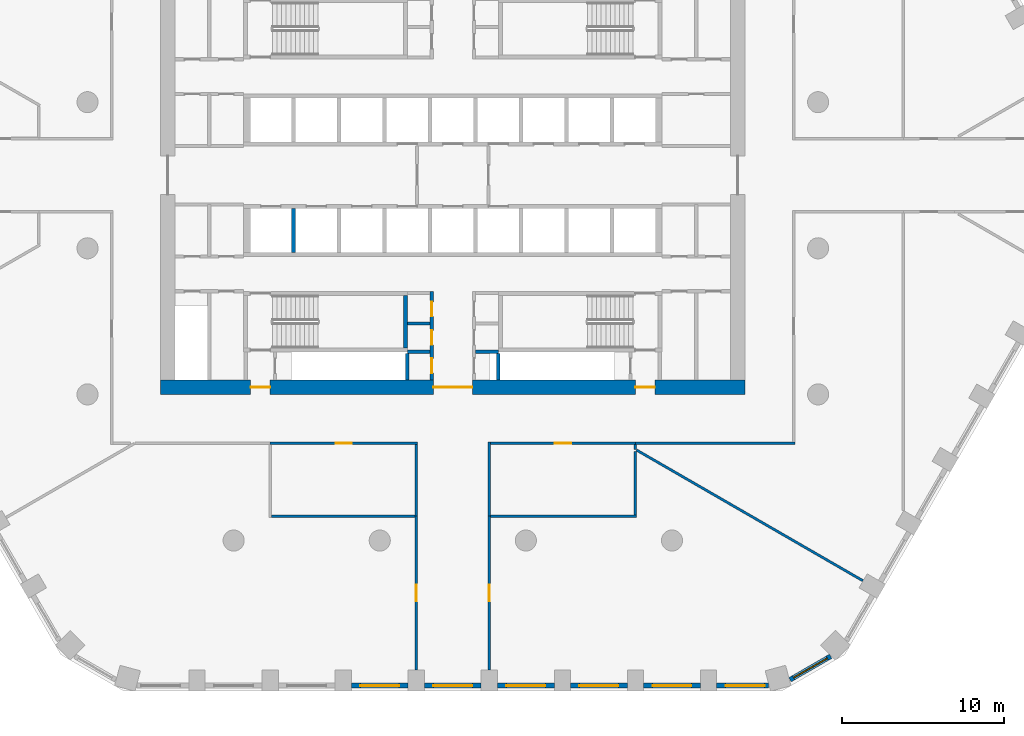
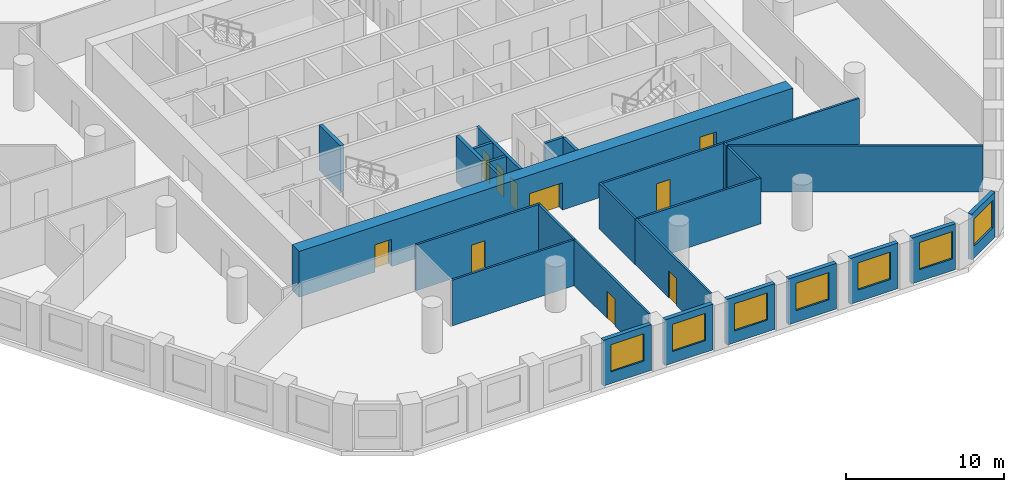
# One storey, part 3 of 10: 28 walls, 10 doors, 7 windows, 17 openings.
"""IFC4 building model written with IfcOpenShell, lengths in metres."""

from ifc_helpers import new_model, si_unit, direction, frame, frame_2d, origin, place, context, subcontext, project, spatial, polyline, rectangle, outline, extrude, material, layer, layer_set, type_object, element, fill, save


model = new_model("IFC4")

# Units and contexts
model_context = context("Model", 3, precision=1e-05, world=origin(), true_north=direction((0.0, 1.0)))
body_context = subcontext(model_context, "Body", "Model", "MODEL_VIEW")
ifc_project = project(units=[si_unit("LENGTHUNIT", "METRE"), si_unit("AREAUNIT", "SQUARE_METRE"), si_unit("VOLUMEUNIT", "CUBIC_METRE"), si_unit("PLANEANGLEUNIT", "RADIAN"), si_unit("MASSUNIT", "GRAM", prefix="KILO")], contexts=[model_context])

# Site, building, storey
site_placement = place(None, origin())
site = spatial("IfcSite", under=ifc_project, at=site_placement, CompositionType="ELEMENT")
building_placement = place(site_placement, origin())
building = spatial("IfcBuilding", under=site, at=building_placement, Name="Dhurran Vertical Campus", CompositionType="ELEMENT")
storey_placement = place(building_placement, frame((0.0, 0.0, 108.60009765625)))
storey = spatial("IfcBuildingStorey", under=building, at=storey_placement, Name="L26", CompositionType="ELEMENT", Elevation=108.60009765625)

# Wall, opening, window
ifc_material_1 = material(Name="Precast concrete C50/60", Category="concrete")
ifc_layer_1 = layer(ifc_material_1, 0.300048828125)
ifc_layer_set_1 = layer_set([ifc_layer_1], Name="Precast concrete C50/60")
wall_type_1 = type_object("IfcWallType", Name="Precast spandrel wall 300", PredefinedType="SOLIDWALL", material=ifc_layer_set_1)
wall_1_placement = place(storey_placement, frame((-6.24951171875, -31.4296875, 0.0), z_axis=(0.0, 0.0, 1.0), x_axis=(1.0, 0.0, 0.0)))
wall_1 = element("IfcWall", 1, at=wall_1_placement, inside=storey, type_object=wall_type_1, Name="EW1 L26.03", PredefinedType="SOLIDWALL", context=body_context, shape_type="SweptSolid", body=[
    extrude(rectangle(XDim=3.4990234375, YDim=0.300048828125, at=frame_2d((1.74951171875, 0.0))), origin(), (0.0, 0.0, 1.0), 3.52490234375),
])
opening_1_placement = place(wall_1_placement, frame((0.549560546875, 0.0, 0.89990234375)))
opening_1 = element("IfcOpeningElement", 2, at=opening_1_placement, cuts=wall_1, Name="Opening WT1", PredefinedType="OPENING", context=body_context, shape_type="SweptSolid", body=[
    extrude(rectangle(XDim=2.39990234375, YDim=2.10009765625, at=frame_2d((1.199951171875, 1.050048828125))), frame((0.0, 0.159912109375, 0.0), z_axis=(0.0, -1.0, 0.0), x_axis=(1.0, 0.0, 0.0)), (0.0, 0.0, 1.0), 0.320068359375),
])
ifc_material_2 = material(Name="Aluminium frame with solar-control glass", Category="aluminium")
window_type = type_object("IfcWindowType", Name="Punched window 2400 x 2100", PartitioningType="SINGLE_PANEL", PredefinedType="WINDOW", material=ifc_material_2)
window_1_placement = place(opening_1_placement, origin())
window_1 = element("IfcWindow", 3, at=window_1_placement, inside=storey, type_object=window_type, Name="WT1 L26.03", OverallHeight=2.10009765625, OverallWidth=2.39990234375, PartitioningType="SINGLE_PANEL", PredefinedType="WINDOW", context=body_context, shape_type="SweptSolid", body=[
    extrude(rectangle(XDim=2.39990234375, YDim=2.10009765625, at=frame_2d((1.199951171875, 1.050048828125))), frame((0.0, 0.030029296875, 0.0), z_axis=(0.0, -1.0, 0.0), x_axis=(1.0, 0.0, 0.0)), (0.0, 0.0, 1.0), 0.06005859375),
])
fill(opening_1, window_1)

wall_2_placement = place(storey_placement, frame((-1.74951171875, -31.4296875, 0.0), z_axis=(0.0, 0.0, 1.0), x_axis=(1.0, 0.0, 0.0)))
wall_2 = element("IfcWall", 4, at=wall_2_placement, inside=storey, type_object=wall_type_1, Name="EW1 L26.04", PredefinedType="SOLIDWALL", context=body_context, shape_type="SweptSolid", body=[
    extrude(rectangle(XDim=3.4990234375, YDim=0.300048828125, at=frame_2d((1.74951171875, 0.0))), origin(), (0.0, 0.0, 1.0), 3.52490234375),
])
opening_2_placement = place(wall_2_placement, frame((0.549560546875, 0.0, 0.89990234375)))
opening_2 = element("IfcOpeningElement", 5, at=opening_2_placement, cuts=wall_2, Name="Opening WT1", PredefinedType="OPENING", context=body_context, shape_type="SweptSolid", body=[
    extrude(rectangle(XDim=2.39990234375, YDim=2.10009765625, at=frame_2d((1.199951171875, 1.050048828125))), frame((0.0, 0.159912109375, 0.0), z_axis=(0.0, -1.0, 0.0), x_axis=(1.0, 0.0, 0.0)), (0.0, 0.0, 1.0), 0.320068359375),
])
window_2_placement = place(opening_2_placement, origin())
window_2 = element("IfcWindow", 6, at=window_2_placement, inside=storey, type_object=window_type, Name="WT1 L26.04", OverallHeight=2.10009765625, OverallWidth=2.39990234375, PartitioningType="SINGLE_PANEL", PredefinedType="WINDOW", context=body_context, shape_type="SweptSolid", body=[
    extrude(rectangle(XDim=2.39990234375, YDim=2.10009765625, at=frame_2d((1.199951171875, 1.050048828125))), frame((0.0, 0.030029296875, 0.0), z_axis=(0.0, -1.0, 0.0), x_axis=(1.0, 0.0, 0.0)), (0.0, 0.0, 1.0), 0.06005859375),
])
fill(opening_2, window_2)

wall_3_placement = place(storey_placement, frame((2.75048828125, -31.4296875, 0.0), z_axis=(0.0, 0.0, 1.0), x_axis=(1.0, 0.0, 0.0)))
wall_3 = element("IfcWall", 7, at=wall_3_placement, inside=storey, type_object=wall_type_1, Name="EW1 L26.05", PredefinedType="SOLIDWALL", context=body_context, shape_type="SweptSolid", body=[
    extrude(rectangle(XDim=3.4990234375, YDim=0.300048828125, at=frame_2d((1.74951171875, 0.0))), origin(), (0.0, 0.0, 1.0), 3.52490234375),
])
opening_3_placement = place(wall_3_placement, frame((0.549560546875, 0.0, 0.89990234375)))
opening_3 = element("IfcOpeningElement", 8, at=opening_3_placement, cuts=wall_3, Name="Opening WT1", PredefinedType="OPENING", context=body_context, shape_type="SweptSolid", body=[
    extrude(rectangle(XDim=2.39990234375, YDim=2.10009765625, at=frame_2d((1.199951171875, 1.050048828125))), frame((0.0, 0.159912109375, 0.0), z_axis=(0.0, -1.0, 0.0), x_axis=(1.0, 0.0, 0.0)), (0.0, 0.0, 1.0), 0.320068359375),
])
window_3_placement = place(opening_3_placement, origin())
window_3 = element("IfcWindow", 9, at=window_3_placement, inside=storey, type_object=window_type, Name="WT1 L26.05", OverallHeight=2.10009765625, OverallWidth=2.39990234375, PartitioningType="SINGLE_PANEL", PredefinedType="WINDOW", context=body_context, shape_type="SweptSolid", body=[
    extrude(rectangle(XDim=2.39990234375, YDim=2.10009765625, at=frame_2d((1.199951171875, 1.050048828125))), frame((0.0, 0.030029296875, 0.0), z_axis=(0.0, -1.0, 0.0), x_axis=(1.0, 0.0, 0.0)), (0.0, 0.0, 1.0), 0.06005859375),
])
fill(opening_3, window_3)

wall_4_placement = place(storey_placement, frame((7.25048828125, -31.4296875, 0.0), z_axis=(0.0, 0.0, 1.0), x_axis=(1.0, 0.0, 0.0)))
wall_4 = element("IfcWall", 10, at=wall_4_placement, inside=storey, type_object=wall_type_1, Name="EW1 L26.06", PredefinedType="SOLIDWALL", context=body_context, shape_type="SweptSolid", body=[
    extrude(rectangle(XDim=3.4990234375, YDim=0.300048828125, at=frame_2d((1.74951171875, 0.0))), origin(), (0.0, 0.0, 1.0), 3.52490234375),
])
opening_4_placement = place(wall_4_placement, frame((0.549560546875, 0.0, 0.89990234375)))
opening_4 = element("IfcOpeningElement", 11, at=opening_4_placement, cuts=wall_4, Name="Opening WT1", PredefinedType="OPENING", context=body_context, shape_type="SweptSolid", body=[
    extrude(rectangle(XDim=2.39990234375, YDim=2.10009765625, at=frame_2d((1.199951171875, 1.050048828125))), frame((0.0, 0.159912109375, 0.0), z_axis=(0.0, -1.0, 0.0), x_axis=(1.0, 0.0, 0.0)), (0.0, 0.0, 1.0), 0.320068359375),
])
window_4_placement = place(opening_4_placement, origin())
window_4 = element("IfcWindow", 12, at=window_4_placement, inside=storey, type_object=window_type, Name="WT1 L26.06", OverallHeight=2.10009765625, OverallWidth=2.39990234375, PartitioningType="SINGLE_PANEL", PredefinedType="WINDOW", context=body_context, shape_type="SweptSolid", body=[
    extrude(rectangle(XDim=2.39990234375, YDim=2.10009765625, at=frame_2d((1.199951171875, 1.050048828125))), frame((0.0, 0.030029296875, 0.0), z_axis=(0.0, -1.0, 0.0), x_axis=(1.0, 0.0, 0.0)), (0.0, 0.0, 1.0), 0.06005859375),
])
fill(opening_4, window_4)

wall_5_placement = place(storey_placement, frame((11.75048828125, -31.4296875, 0.0), z_axis=(0.0, 0.0, 1.0), x_axis=(1.0, 0.0, 0.0)))
wall_5 = element("IfcWall", 13, at=wall_5_placement, inside=storey, type_object=wall_type_1, Name="EW1 L26.07", PredefinedType="SOLIDWALL", context=body_context, shape_type="SweptSolid", body=[
    extrude(rectangle(XDim=3.4990234375, YDim=0.300048828125, at=frame_2d((1.74951171875, 0.0))), origin(), (0.0, 0.0, 1.0), 3.52490234375),
])
opening_5_placement = place(wall_5_placement, frame((0.549560546875, 0.0, 0.89990234375)))
opening_5 = element("IfcOpeningElement", 14, at=opening_5_placement, cuts=wall_5, Name="Opening WT1", PredefinedType="OPENING", context=body_context, shape_type="SweptSolid", body=[
    extrude(rectangle(XDim=2.39990234375, YDim=2.10009765625, at=frame_2d((1.199951171875, 1.050048828125))), frame((0.0, 0.159912109375, 0.0), z_axis=(0.0, -1.0, 0.0), x_axis=(1.0, 0.0, 0.0)), (0.0, 0.0, 1.0), 0.320068359375),
])
window_5_placement = place(opening_5_placement, origin())
window_5 = element("IfcWindow", 15, at=window_5_placement, inside=storey, type_object=window_type, Name="WT1 L26.07", OverallHeight=2.10009765625, OverallWidth=2.39990234375, PartitioningType="SINGLE_PANEL", PredefinedType="WINDOW", context=body_context, shape_type="SweptSolid", body=[
    extrude(rectangle(XDim=2.39990234375, YDim=2.10009765625, at=frame_2d((1.199951171875, 1.050048828125))), frame((0.0, 0.030029296875, 0.0), z_axis=(0.0, -1.0, 0.0), x_axis=(1.0, 0.0, 0.0)), (0.0, 0.0, 1.0), 0.06005859375),
])
fill(opening_5, window_5)

wall_6_placement = place(storey_placement, frame((16.25048828125, -31.4296875, 0.0), z_axis=(0.0, 0.0, 1.0), x_axis=(1.0, 0.0, 0.0)))
wall_6 = element("IfcWall", 16, at=wall_6_placement, inside=storey, type_object=wall_type_1, Name="EW1 L26.08", PredefinedType="SOLIDWALL", context=body_context, shape_type="SweptSolid", body=[
    extrude(rectangle(XDim=3.1923828125, YDim=0.300048828125, at=frame_2d((1.59619140625, 0.0))), origin(), (0.0, 0.0, 1.0), 3.52490234375),
])
opening_6_placement = place(wall_6_placement, frame((0.549560546875, 0.0, 0.89990234375)))
opening_6 = element("IfcOpeningElement", 17, at=opening_6_placement, cuts=wall_6, Name="Opening WT1", PredefinedType="OPENING", context=body_context, shape_type="SweptSolid", body=[
    extrude(rectangle(XDim=2.39990234375, YDim=2.10009765625, at=frame_2d((1.199951171875, 1.050048828125))), frame((0.0, 0.159912109375, 0.0), z_axis=(0.0, -1.0, 0.0), x_axis=(1.0, 0.0, 0.0)), (0.0, 0.0, 1.0), 0.320068359375),
])
window_6_placement = place(opening_6_placement, origin())
window_6 = element("IfcWindow", 18, at=window_6_placement, inside=storey, type_object=window_type, Name="WT1 L26.08", OverallHeight=2.10009765625, OverallWidth=2.39990234375, PartitioningType="SINGLE_PANEL", PredefinedType="WINDOW", context=body_context, shape_type="SweptSolid", body=[
    extrude(rectangle(XDim=2.39990234375, YDim=2.10009765625, at=frame_2d((1.199951171875, 1.050048828125))), frame((0.0, 0.030029296875, 0.0), z_axis=(0.0, -1.0, 0.0), x_axis=(1.0, 0.0, 0.0)), (0.0, 0.0, 1.0), 0.06005859375),
])
fill(opening_6, window_6)

wall_7_placement = place(storey_placement, frame((20.774169921875, -31.072998046875, 0.0), z_axis=(0.0, 0.0, 1.0), x_axis=(0.866053149362, 0.49995194017, 0.0)))
wall_7 = element("IfcWall", 19, at=wall_7_placement, inside=storey, type_object=wall_type_1, Name="EW1 L26.09", PredefinedType="SOLIDWALL", context=body_context, shape_type="SweptSolid", body=[
    extrude(rectangle(XDim=2.885498046875, YDim=0.300048828125, at=frame_2d((1.44287109375, 0.0))), origin(), (0.0, 0.0, 1.0), 3.52490234375),
])
opening_7_placement = place(wall_7_placement, frame((0.242919921875, 0.0, 0.89990234375)))
opening_7 = element("IfcOpeningElement", 20, at=opening_7_placement, cuts=wall_7, Name="Opening WT1", PredefinedType="OPENING", context=body_context, shape_type="SweptSolid", body=[
    extrude(rectangle(XDim=2.39990234375, YDim=2.10009765625, at=frame_2d((1.199951171875, 1.050048828125))), frame((0.0, 0.159912109375, 0.0), z_axis=(0.0, -1.0, 0.0), x_axis=(1.0, 0.0, 0.0)), (0.0, 0.0, 1.0), 0.320068359375),
])
window_7_placement = place(opening_7_placement, origin())
window_7 = element("IfcWindow", 21, at=window_7_placement, inside=storey, type_object=window_type, Name="WT1 L26.09", OverallHeight=2.10009765625, OverallWidth=2.39990234375, PartitioningType="SINGLE_PANEL", PredefinedType="WINDOW", context=body_context, shape_type="SweptSolid", body=[
    extrude(rectangle(XDim=2.39990234375, YDim=2.10009765625, at=frame_2d((1.199951171875, 1.050048828125))), frame((0.0, 0.030029296875, 0.0), z_axis=(0.0, -1.0, 0.0), x_axis=(1.0, 0.0, 0.0)), (0.0, 0.0, 1.0), 0.06005859375),
])
fill(opening_7, window_7)

# Wall, openings, doors
ifc_material_3 = material(Name="Concrete C60/75", Category="concrete")
ifc_layer_2 = layer(ifc_material_3, 0.89990234375)
ifc_layer_set_2 = layer_set([ifc_layer_2], Name="Concrete C60/75")
wall_type_2 = type_object("IfcWallType", Name="co-CORE-WALL-C0-900", PredefinedType="SHEAR", material=ifc_layer_set_2)
wall_8_placement = place(storey_placement, frame((-18.0, -13.050048828125, 0.0), z_axis=(0.0, 0.0, 1.0), x_axis=(1.0, 0.0, 0.0)))
wall_8 = element("IfcWall", 22, at=wall_8_placement, inside=storey, type_object=wall_type_2, Name="Core wall S L26", PredefinedType="SHEAR", context=body_context, shape_type="SweptSolid", body=[
    extrude(rectangle(XDim=36.0, YDim=0.89990234375, at=frame_2d((18.0, 0.0))), origin(), (0.0, 0.0, 1.0), 3.52490234375),
])
opening_8_placement = place(wall_8_placement, frame((16.800048828125, 0.0, 0.0)))
opening_8 = element("IfcOpeningElement", 23, at=opening_8_placement, cuts=wall_8, Name="Opening CV2", PredefinedType="OPENING", context=body_context, shape_type="SweptSolid", body=[
    extrude(rectangle(XDim=2.39990234375, YDim=2.10009765625, at=frame_2d((1.199951171875, 1.050048828125))), frame((0.0, 0.4599609375, 0.0), z_axis=(0.0, -1.0, 0.0), x_axis=(1.0, 0.0, 0.0)), (0.0, 0.0, 1.0), 0.919921875),
])
opening_9_placement = place(wall_8_placement, frame((5.550048828125, 0.0, 0.0)))
opening_9 = element("IfcOpeningElement", 24, at=opening_9_placement, cuts=wall_8, Name="Opening XD3", PredefinedType="OPENING", context=body_context, shape_type="SweptSolid", body=[
    extrude(rectangle(XDim=1.199951171875, YDim=2.10009765625, at=frame_2d((0.60009765625, 1.050048828125))), frame((0.0, 0.4599609375, 0.0), z_axis=(0.0, -1.0, 0.0), x_axis=(1.0, 0.0, 0.0)), (0.0, 0.0, 1.0), 0.919921875),
])
opening_10_placement = place(wall_8_placement, frame((29.25, 0.0, 0.0)))
opening_10 = element("IfcOpeningElement", 25, at=opening_10_placement, cuts=wall_8, Name="Opening XD4", PredefinedType="OPENING", context=body_context, shape_type="SweptSolid", body=[
    extrude(rectangle(XDim=1.199951171875, YDim=2.10009765625, at=frame_2d((0.60009765625, 1.050048828125))), frame((0.0, 0.4599609375, 0.0), z_axis=(0.0, -1.0, 0.0), x_axis=(1.0, 0.0, 0.0)), (0.0, 0.0, 1.0), 0.919921875),
])
ifc_material_4 = material(Name="Fire-rated glazed door set")
door_type_1 = type_object("IfcDoorType", Name="co-D-LOBBY 2400x2100", OperationType="DOUBLE_DOOR_DOUBLE_SWING", PredefinedType="DOOR", material=ifc_material_4)
door_1_placement = place(opening_8_placement, origin())
door_1 = element("IfcDoor", 26, at=door_1_placement, inside=storey, type_object=door_type_1, Name="Core vestibule door S L26", OperationType="DOUBLE_DOOR_DOUBLE_SWING", OverallHeight=2.10009765625, OverallWidth=2.39990234375, PredefinedType="DOOR", context=body_context, shape_type="SweptSolid", body=[
    extrude(rectangle(XDim=2.39990234375, YDim=2.10009765625, at=frame_2d((1.199951171875, 1.050048828125))), frame((0.0, 0.02490234375, 0.0), z_axis=(0.0, -1.0, 0.0), x_axis=(1.0, 0.0, 0.0)), (0.0, 0.0, 1.0), 0.050048828125),
])
fill(opening_8, door_1)
ifc_material_5 = material(Name="Fire-rated steel door set", Category="steel")
door_type_2 = type_object("IfcDoorType", Name="co-D-STAIR-EXIT 1200x2100", OperationType="SINGLE_SWING_RIGHT", PredefinedType="DOOR", material=ifc_material_5)
door_2_placement = place(opening_9_placement, origin())
door_2 = element("IfcDoor", 27, at=door_2_placement, inside=storey, type_object=door_type_2, Name="Stair ST3 exit door L26", OperationType="SINGLE_SWING_RIGHT", OverallHeight=2.10009765625, OverallWidth=1.199951171875, PredefinedType="DOOR", context=body_context, shape_type="SweptSolid", body=[
    extrude(rectangle(XDim=1.199951171875, YDim=2.10009765625, at=frame_2d((0.60009765625, 1.050048828125))), frame((0.0, 0.02490234375, 0.0), z_axis=(0.0, -1.0, 0.0), x_axis=(1.0, 0.0, 0.0)), (0.0, 0.0, 1.0), 0.050048828125),
])
fill(opening_9, door_2)
door_3_placement = place(opening_10_placement, origin())
door_3 = element("IfcDoor", 28, at=door_3_placement, inside=storey, type_object=door_type_2, Name="Stair ST4 exit door L26", OperationType="SINGLE_SWING_RIGHT", OverallHeight=2.10009765625, OverallWidth=1.199951171875, PredefinedType="DOOR", context=body_context, shape_type="SweptSolid", body=[
    extrude(rectangle(XDim=1.199951171875, YDim=2.10009765625, at=frame_2d((0.60009765625, 1.050048828125))), frame((0.0, 0.02490234375, 0.0), z_axis=(0.0, -1.0, 0.0), x_axis=(1.0, 0.0, 0.0)), (0.0, 0.0, 1.0), 0.050048828125),
])
fill(opening_10, door_3)

# Walls
ifc_material_6 = material(Name="Fire-rated masonry blockwork", Category="masonry")
ifc_layer_3 = layer(ifc_material_6, 0.199951171875)
ifc_layer_set_3 = layer_set([ifc_layer_3], Name="Fire-rated masonry blockwork")
wall_type_3 = type_object("IfcWallType", Name="co-FIRE-PARTITION-200", PredefinedType="PARTITIONING", material=ifc_layer_set_3)
for number, where, z_axis, x_axis, name in (
    (29, (-2.800048828125, -9.135009765625, 0.0), (0.0, 0.0, 1.0), (1.0, 0.0, 0.0), "Core partition sl-SW-cut0 L26"),
    (30, (-2.800048828125, -10.867431640625, 0.0), (0.0, 0.0, 1.0), (1.0, 0.0, 0.0), "Core partition sl-SW-cut1 L26"),
    (31, (1.39990234375, -10.867431640625, 0.0), (0.0, 0.0, 1.0), (1.0, 0.0, 0.0), "Core partition sl-SE-cut1 L26"),
):
    element("IfcWall", number, at=place(storey_placement, frame(where, z_axis=z_axis, x_axis=x_axis)), inside=storey, type_object=wall_type_3, Name=name, PredefinedType="PARTITIONING", context=body_context, shape_type="SweptSolid", body=[
        extrude(rectangle(XDim=1.400146484375, YDim=0.199951171875, at=frame_2d((0.7001953125, 0.0))), origin(), (0.0, 0.0, 1.0), 3.52490234375),
    ])

# Wall, openings, doors
wall_9_placement = place(storey_placement, frame((-1.300048828125, -12.60009765625, 0.0), z_axis=(0.0, 0.0, 1.0), x_axis=(0.0, 1.0, 0.0)))
wall_9 = element("IfcWall", 32, at=wall_9_placement, inside=storey, type_object=wall_type_3, Name="Core partition vest-SW L26", PredefinedType="PARTITIONING", context=body_context, shape_type="SweptSolid", body=[
    extrude(rectangle(XDim=5.4501953125, YDim=0.199951171875, at=frame_2d((2.72509765625, 0.0))), origin(), (0.0, 0.0, 1.0), 3.52490234375),
])
opening_11_placement = place(wall_9_placement, frame((0.416259765625, 0.0, 0.0)))
opening_11 = element("IfcOpeningElement", 33, at=opening_11_placement, cuts=wall_9, Name="Opening T07-C1", PredefinedType="OPENING", context=body_context, shape_type="SweptSolid", body=[
    extrude(rectangle(XDim=0.89990234375, YDim=2.10009765625, at=frame_2d((0.449951171875, 1.050048828125))), frame((0.0, 0.10986328125, 0.0), z_axis=(0.0, -1.0, 0.0), x_axis=(1.0, 0.0, 0.0)), (0.0, 0.0, 1.0), 0.219970703125),
])
opening_12_placement = place(wall_9_placement, frame((2.148681640625, 0.0, 0.0)))
opening_12 = element("IfcOpeningElement", 34, at=opening_12_placement, cuts=wall_9, Name="Opening T07-C2", PredefinedType="OPENING", context=body_context, shape_type="SweptSolid", body=[
    extrude(rectangle(XDim=0.89990234375, YDim=2.10009765625, at=frame_2d((0.449951171875, 1.050048828125))), frame((0.0, 0.10986328125, 0.0), z_axis=(0.0, -1.0, 0.0), x_axis=(1.0, 0.0, 0.0)), (0.0, 0.0, 1.0), 0.219970703125),
])
opening_13_placement = place(wall_9_placement, frame((3.907470703125, 0.0, 0.0)))
opening_13 = element("IfcOpeningElement", 35, at=opening_13_placement, cuts=wall_9, Name="Opening T07-C3", PredefinedType="OPENING", context=body_context, shape_type="SweptSolid", body=[
    extrude(rectangle(XDim=0.89990234375, YDim=2.10009765625, at=frame_2d((0.449951171875, 1.050048828125))), frame((0.0, 0.10986328125, 0.0), z_axis=(0.0, -1.0, 0.0), x_axis=(1.0, 0.0, 0.0)), (0.0, 0.0, 1.0), 0.219970703125),
])
ifc_material_7 = material(Name="Fire-rated timber door set", Category="wood")
door_type_3 = type_object("IfcDoorType", Name="co-D-ROOM 900x2100", OperationType="SINGLE_SWING_LEFT", PredefinedType="DOOR", material=ifc_material_7)
door_4_placement = place(opening_11_placement, origin())
door_4 = element("IfcDoor", 36, at=door_4_placement, inside=storey, type_object=door_type_3, Name="Print room door L26", OperationType="SINGLE_SWING_LEFT", OverallHeight=2.10009765625, OverallWidth=0.89990234375, PredefinedType="DOOR", context=body_context, shape_type="SweptSolid", body=[
    extrude(rectangle(XDim=0.89990234375, YDim=2.10009765625, at=frame_2d((0.449951171875, 1.050048828125))), frame((0.0, 0.02490234375, 0.0), z_axis=(0.0, -1.0, 0.0), x_axis=(1.0, 0.0, 0.0)), (0.0, 0.0, 1.0), 0.050048828125),
])
fill(opening_11, door_4)
door_5_placement = place(opening_12_placement, origin())
door_5 = element("IfcDoor", 37, at=door_5_placement, inside=storey, type_object=door_type_3, Name="Server room door L26", OperationType="SINGLE_SWING_LEFT", OverallHeight=2.10009765625, OverallWidth=0.89990234375, PredefinedType="DOOR", context=body_context, shape_type="SweptSolid", body=[
    extrude(rectangle(XDim=0.89990234375, YDim=2.10009765625, at=frame_2d((0.449951171875, 1.050048828125))), frame((0.0, 0.02490234375, 0.0), z_axis=(0.0, -1.0, 0.0), x_axis=(1.0, 0.0, 0.0)), (0.0, 0.0, 1.0), 0.050048828125),
])
fill(opening_12, door_5)
door_6_placement = place(opening_13_placement, origin())
door_6 = element("IfcDoor", 38, at=door_6_placement, inside=storey, type_object=door_type_3, Name="Cleaner's store door L26", OperationType="SINGLE_SWING_LEFT", OverallHeight=2.10009765625, OverallWidth=0.89990234375, PredefinedType="DOOR", context=body_context, shape_type="SweptSolid", body=[
    extrude(rectangle(XDim=0.89990234375, YDim=2.10009765625, at=frame_2d((0.449951171875, 1.050048828125))), frame((0.0, 0.02490234375, 0.0), z_axis=(0.0, -1.0, 0.0), x_axis=(1.0, 0.0, 0.0)), (0.0, 0.0, 1.0), 0.050048828125),
])
fill(opening_13, door_6)

# Walls
for number, where, z_axis, x_axis, name in (
    (39, (-2.800048828125, -12.59912109375, 0.0), (0.0, 0.0, 1.0), (0.0, 1.0, 0.0), "Riser enclosure wall L26"),
    (40, (2.800048828125, -12.59912109375, 0.0), (0.0, 0.0, 1.0), (0.0, 1.0, 0.0), "Riser enclosure wall L26"),
):
    element("IfcWall", number, at=place(storey_placement, frame(where, z_axis=z_axis, x_axis=x_axis)), inside=storey, type_object=wall_type_3, Name=name, PredefinedType="PARTITIONING", context=body_context, shape_type="SweptSolid", body=[
        extrude(rectangle(XDim=1.630615234375, YDim=0.199951171875, at=frame_2d((0.8154296875, 0.0))), origin(), (0.0, 0.0, 1.0), 3.52490234375),
    ])
ifc_material_8 = material(Name="Concrete C50/60", Category="concrete")
ifc_layer_4 = layer(ifc_material_8, 0.25)
ifc_layer_set_4 = layer_set([ifc_layer_4], Name="Concrete C50/60")
wall_type_4 = type_object("IfcWallType", Name="co-SHAFT-MASS-250", PredefinedType="SHEAR", material=ifc_layer_set_4)
wall_10_placement = place(storey_placement, origin())
element("IfcWall", 41, at=wall_10_placement, inside=storey, type_object=wall_type_4, Name="Lift shaft wall S L26 3", PredefinedType="SHEAR", context=body_context, shape_type="SweptSolid", body=[
    extrude(outline(polyline([(-9.925048828125, -4.75), (-9.675048828125, -4.75), (-9.675048828125, -2.050048828125), (-9.925048828125, -2.050048828125), (-9.925048828125, -4.75)])), origin(), (0.0, 0.0, 1.0), 3.52490234375),
])
ifc_material_9 = material(Name="Concrete C40/50", Category="concrete")
ifc_layer_5 = layer(ifc_material_9, 0.25)
ifc_layer_set_5 = layer_set([ifc_layer_5], Name="Concrete C40/50")
wall_type_5 = type_object("IfcWallType", Name="co-STAIR-WALL-250", PredefinedType="SHEAR", material=ifc_layer_set_5)
wall_11_placement = place(storey_placement, frame((-2.925048828125, -10.64990234375, 0.0), z_axis=(0.0, 0.0, 1.0), x_axis=(0.0, 1.0, 0.0)))
element("IfcWall", 42, at=wall_11_placement, inside=storey, type_object=wall_type_5, Name="Stair ST3 enclosure wall L26", PredefinedType="SHEAR", context=body_context, shape_type="SweptSolid", body=[
    extrude(rectangle(XDim=3.25, YDim=0.25, at=frame_2d((1.625, 0.0))), origin(), (0.0, 0.0, 1.0), 3.52490234375),
])

# Wall, opening, door
ifc_material_10 = material(Name="Gypsum board corridor wall on steel studs", Category="steel")
ifc_layer_6 = layer(ifc_material_10, 0.14990234375)
ifc_layer_set_6 = layer_set([ifc_layer_6], Name="Gypsum board corridor wall on steel studs")
wall_type_6 = type_object("IfcWallType", Name="fl-CW-150 corridor wall", PredefinedType="PARTITIONING", material=ifc_layer_set_6)
wall_12_placement = place(storey_placement, frame((-11.25, -16.5, 0.0), z_axis=(0.0, 0.0, 1.0), x_axis=(1.0, 0.0, 0.0)))
wall_12 = element("IfcWall", 43, at=wall_12_placement, inside=storey, type_object=wall_type_6, Name="Partition 26-25", PredefinedType="PARTITIONING", context=body_context, shape_type="SweptSolid", body=[
    extrude(rectangle(XDim=9.074951171875, YDim=0.14990234375, at=frame_2d((4.53759765625, 0.0))), origin(), (0.0, 0.0, 1.0), 3.52490234375),
])
opening_14_placement = place(wall_12_placement, frame((4.03759765625, 0.0, 0.0)))
opening_14 = element("IfcOpeningElement", 44, at=opening_14_placement, cuts=wall_12, Name="Opening T07.09", PredefinedType="OPENING", context=body_context, shape_type="SweptSolid", body=[
    extrude(rectangle(XDim=1.0, YDim=2.10009765625, at=frame_2d((0.5, 1.050048828125))), frame((0.0, 0.0849609375, 0.0), z_axis=(0.0, -1.0, 0.0), x_axis=(1.0, 0.0, 0.0)), (0.0, 0.0, 1.0), 0.169921875),
])
ifc_material_11 = material(Name="Solid-core timber door set, fire-rated", Category="wood")
door_type_4 = type_object("IfcDoorType", Name="fl-D-1000x2100", OperationType="SINGLE_SWING_LEFT", PredefinedType="DOOR", material=ifc_material_11)
door_7_placement = place(opening_14_placement, origin())
door_7 = element("IfcDoor", 45, at=door_7_placement, inside=storey, type_object=door_type_4, Name="Door 26.09", OperationType="SINGLE_SWING_LEFT", OverallHeight=2.10009765625, OverallWidth=1.0, PredefinedType="DOOR", context=body_context, shape_type="SweptSolid", body=[
    extrude(rectangle(XDim=1.0, YDim=2.10009765625, at=frame_2d((0.5, 1.050048828125))), frame((0.0, 0.02490234375, 0.0), z_axis=(0.0, -1.0, 0.0), x_axis=(1.0, 0.0, 0.0)), (0.0, 0.0, 1.0), 0.050048828125),
])
fill(opening_14, door_7)

wall_13_placement = place(storey_placement, frame((-2.25, -30.459716796875, 0.0), z_axis=(0.0, 0.0, 1.0), x_axis=(0.0, 1.0, 0.0)))
wall_13 = element("IfcWall", 46, at=wall_13_placement, inside=storey, type_object=wall_type_6, Name="Partition 26-29", PredefinedType="PARTITIONING", context=body_context, shape_type="SweptSolid", body=[
    extrude(rectangle(XDim=9.459716796875, YDim=0.14990234375, at=frame_2d((4.72998046875, 0.0))), origin(), (0.0, 0.0, 1.0), 3.52490234375),
])
opening_15_placement = place(wall_13_placement, frame((4.22998046875, 0.0, 0.0)))
opening_15 = element("IfcOpeningElement", 47, at=opening_15_placement, cuts=wall_13, Name="Opening T07.07", PredefinedType="OPENING", context=body_context, shape_type="SweptSolid", body=[
    extrude(rectangle(XDim=1.0, YDim=2.10009765625, at=frame_2d((0.5, 1.050048828125))), frame((0.0, 0.0849609375, 0.0), z_axis=(0.0, -1.0, 0.0), x_axis=(1.0, 0.0, 0.0)), (0.0, 0.0, 1.0), 0.169921875),
])
door_8_placement = place(opening_15_placement, origin())
door_8 = element("IfcDoor", 48, at=door_8_placement, inside=storey, type_object=door_type_4, Name="Door 26.07", OperationType="SINGLE_SWING_LEFT", OverallHeight=2.10009765625, OverallWidth=1.0, PredefinedType="DOOR", context=body_context, shape_type="SweptSolid", body=[
    extrude(rectangle(XDim=1.0, YDim=2.10009765625, at=frame_2d((0.5, 1.050048828125))), frame((0.0, 0.02490234375, 0.0), z_axis=(0.0, -1.0, 0.0), x_axis=(1.0, 0.0, 0.0)), (0.0, 0.0, 1.0), 0.050048828125),
])
fill(opening_15, door_8)

# Wall
wall_14_placement = place(storey_placement, frame((-2.25, -21.0, 0.0), z_axis=(0.0, 0.0, 1.0), x_axis=(0.0, 1.0, 0.0)))
element("IfcWall", 49, at=wall_14_placement, inside=storey, type_object=wall_type_6, Name="Partition 26-30", PredefinedType="PARTITIONING", context=body_context, shape_type="SweptSolid", body=[
    extrude(rectangle(XDim=4.425048828125, YDim=0.14990234375, at=frame_2d((2.21240234375, 0.0))), origin(), (0.0, 0.0, 1.0), 3.52490234375),
])

# Wall, opening, door
wall_15_placement = place(storey_placement, frame((2.25, -21.0, 0.0), z_axis=(0.0, 0.0, 1.0), x_axis=(0.0, -1.0, 0.0)))
wall_15 = element("IfcWall", 50, at=wall_15_placement, inside=storey, type_object=wall_type_6, Name="Partition 26-33", PredefinedType="PARTITIONING", context=body_context, shape_type="SweptSolid", body=[
    extrude(rectangle(XDim=9.459716796875, YDim=0.14990234375, at=frame_2d((4.72998046875, 0.0))), origin(), (0.0, 0.0, 1.0), 3.52490234375),
])
opening_16_placement = place(wall_15_placement, frame((4.22998046875, 0.0, 0.0)))
opening_16 = element("IfcOpeningElement", 51, at=opening_16_placement, cuts=wall_15, Name="Opening T07.14", PredefinedType="OPENING", context=body_context, shape_type="SweptSolid", body=[
    extrude(rectangle(XDim=1.0, YDim=2.10009765625, at=frame_2d((0.5, 1.050048828125))), frame((0.0, 0.0849609375, 0.0), z_axis=(0.0, -1.0, 0.0), x_axis=(1.0, 0.0, 0.0)), (0.0, 0.0, 1.0), 0.169921875),
])
door_9_placement = place(opening_16_placement, origin())
door_9 = element("IfcDoor", 52, at=door_9_placement, inside=storey, type_object=door_type_4, Name="Door 26.14", OperationType="SINGLE_SWING_LEFT", OverallHeight=2.10009765625, OverallWidth=1.0, PredefinedType="DOOR", context=body_context, shape_type="SweptSolid", body=[
    extrude(rectangle(XDim=1.0, YDim=2.10009765625, at=frame_2d((0.5, 1.050048828125))), frame((0.0, 0.02490234375, 0.0), z_axis=(0.0, -1.0, 0.0), x_axis=(1.0, 0.0, 0.0)), (0.0, 0.0, 1.0), 0.050048828125),
])
fill(opening_16, door_9)

# Wall
wall_16_placement = place(storey_placement, frame((2.25, -16.425048828125, 0.0), z_axis=(0.0, 0.0, 1.0), x_axis=(0.0, -1.0, 0.0)))
element("IfcWall", 53, at=wall_16_placement, inside=storey, type_object=wall_type_6, Name="Partition 26-34", PredefinedType="PARTITIONING", context=body_context, shape_type="SweptSolid", body=[
    extrude(rectangle(XDim=4.574951171875, YDim=0.14990234375, at=frame_2d((2.28759765625, 0.0))), origin(), (0.0, 0.0, 1.0), 3.52490234375),
])

# Wall, opening, door
wall_17_placement = place(storey_placement, frame((2.324951171875, -16.5, 0.0), z_axis=(0.0, 0.0, 1.0), x_axis=(1.0, 0.0, 0.0)))
wall_17 = element("IfcWall", 54, at=wall_17_placement, inside=storey, type_object=wall_type_6, Name="Partition 26-36", PredefinedType="PARTITIONING", context=body_context, shape_type="SweptSolid", body=[
    extrude(rectangle(XDim=8.925048828125, YDim=0.14990234375, at=frame_2d((4.46240234375, 0.0))), origin(), (0.0, 0.0, 1.0), 3.52490234375),
])
opening_17_placement = place(wall_17_placement, frame((3.96240234375, 0.0, 0.0)))
opening_17 = element("IfcOpeningElement", 55, at=opening_17_placement, cuts=wall_17, Name="Opening T07.13", PredefinedType="OPENING", context=body_context, shape_type="SweptSolid", body=[
    extrude(rectangle(XDim=1.0, YDim=2.10009765625, at=frame_2d((0.5, 1.050048828125))), frame((0.0, 0.0849609375, 0.0), z_axis=(0.0, -1.0, 0.0), x_axis=(1.0, 0.0, 0.0)), (0.0, 0.0, 1.0), 0.169921875),
])
door_10_placement = place(opening_17_placement, origin())
door_10 = element("IfcDoor", 56, at=door_10_placement, inside=storey, type_object=door_type_4, Name="Door 26.13", OperationType="SINGLE_SWING_RIGHT", OverallHeight=2.10009765625, OverallWidth=1.0, PredefinedType="DOOR", context=body_context, shape_type="SweptSolid", body=[
    extrude(rectangle(XDim=1.0, YDim=2.10009765625, at=frame_2d((0.5, 1.050048828125))), frame((0.0, 0.02490234375, 0.0), z_axis=(0.0, -1.0, 0.0), x_axis=(1.0, 0.0, 0.0)), (0.0, 0.0, 1.0), 0.050048828125),
])
fill(opening_17, door_10)

# Walls
wall_18_placement = place(storey_placement, frame((11.25, -16.5, 0.0), z_axis=(0.0, 0.0, 1.0), x_axis=(1.0, 0.0, 0.0)))
element("IfcWall", 57, at=wall_18_placement, inside=storey, type_object=wall_type_6, Name="Partition 26-51", PredefinedType="PARTITIONING", context=body_context, shape_type="SweptSolid", body=[
    extrude(rectangle(XDim=9.824951171875, YDim=0.14990234375, at=frame_2d((4.91259765625, 0.0))), origin(), (0.0, 0.0, 1.0), 3.52490234375),
])
ifc_material_12 = material(Name="Gypsum board partition on steel studs", Category="steel")
ifc_layer_7 = layer(ifc_material_12, 0.14990234375)
ifc_layer_set_7 = layer_set([ifc_layer_7], Name="Gypsum board partition on steel studs")
wall_type_7 = type_object("IfcWallType", Name="fl-PW-150 fixed partition", PredefinedType="PARTITIONING", material=ifc_layer_set_7)
wall_19_placement = place(storey_placement, frame((-11.175048828125, -21.0, 0.0), z_axis=(0.0, 0.0, 1.0), x_axis=(1.0, 0.0, 0.0)))
element("IfcWall", 58, at=wall_19_placement, inside=storey, type_object=wall_type_7, Name="Partition 26-24", PredefinedType="PARTITIONING", context=body_context, shape_type="SweptSolid", body=[
    extrude(rectangle(XDim=8.85009765625, YDim=0.14990234375, at=frame_2d((4.425048828125, 0.0))), origin(), (0.0, 0.0, 1.0), 3.52490234375),
])
wall_20_placement = place(storey_placement, frame((11.324951171875, -21.0, 0.0), z_axis=(0.0, 0.0, 1.0), x_axis=(-1.0, 0.0, 0.0)))
element("IfcWall", 59, at=wall_20_placement, inside=storey, type_object=wall_type_7, Name="Partition 26-35", PredefinedType="PARTITIONING", context=body_context, shape_type="SweptSolid", body=[
    extrude(rectangle(XDim=9.0, YDim=0.14990234375, at=frame_2d((4.5, 0.0))), origin(), (0.0, 0.0, 1.0), 3.52490234375),
])
wall_21_placement = place(storey_placement, frame((11.25, -17.01708984375, 0.0), z_axis=(0.0, 0.0, 1.0), x_axis=(0.0, -1.0, 0.0)))
element("IfcWall", 60, at=wall_21_placement, inside=storey, type_object=wall_type_7, Name="Partition 26-48", PredefinedType="PARTITIONING", context=body_context, shape_type="SweptSolid", body=[
    extrude(rectangle(XDim=3.907958984375, YDim=0.14990234375, at=frame_2d((1.9541015625, 0.0))), origin(), (0.0, 0.0, 1.0), 3.52490234375),
])
wall_22_placement = place(storey_placement, frame((11.25, -16.574951171875, 0.0), z_axis=(0.0, 0.0, 1.0), x_axis=(0.0, -1.0, 0.0)))
element("IfcWall", 61, at=wall_22_placement, inside=storey, type_object=wall_type_7, Name="Partition 26-49", PredefinedType="PARTITIONING", context=body_context, shape_type="SweptSolid", body=[
    extrude(rectangle(XDim=0.31201171875, YDim=0.14990234375, at=frame_2d((0.156005859375, 0.0))), origin(), (0.0, 0.0, 1.0), 3.52490234375),
])
wall_23_placement = place(storey_placement, frame((11.31494140625, -16.924560546875, 0.0), z_axis=(0.0, 0.0, 1.0), x_axis=(0.86600725109, -0.500031440071, 0.0)))
element("IfcWall", 62, at=wall_23_placement, inside=storey, type_object=wall_type_7, Name="Partition 26-50", PredefinedType="PARTITIONING", context=body_context, shape_type="SweptSolid", body=[
    extrude(rectangle(XDim=16.095703125, YDim=0.14990234375, at=frame_2d((8.0478515625, 0.0))), origin(), (0.0, 0.0, 1.0), 3.52490234375),
])

save(model, "model.ifc")
